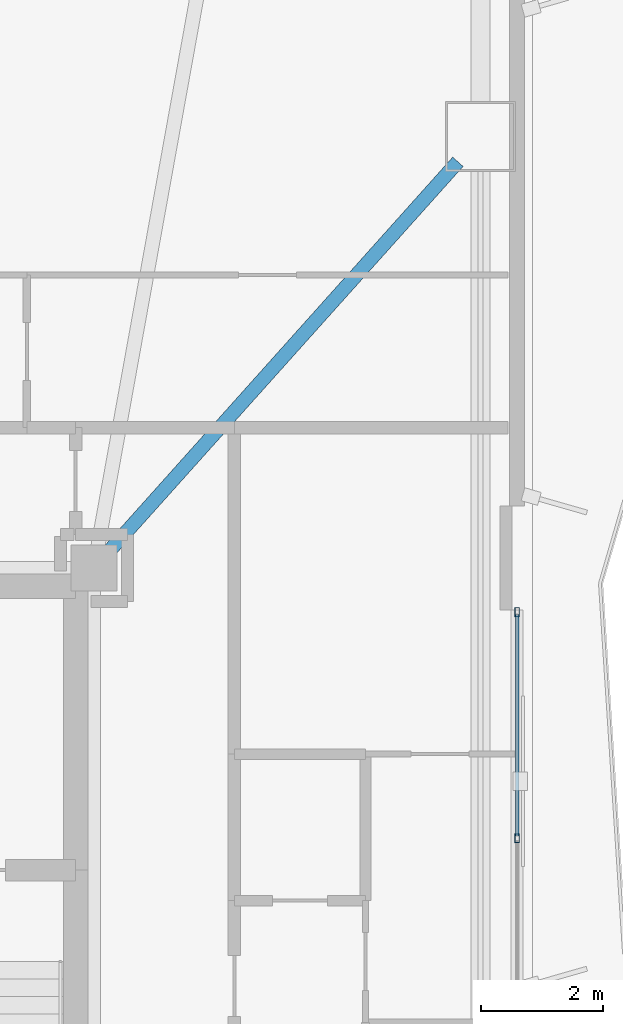
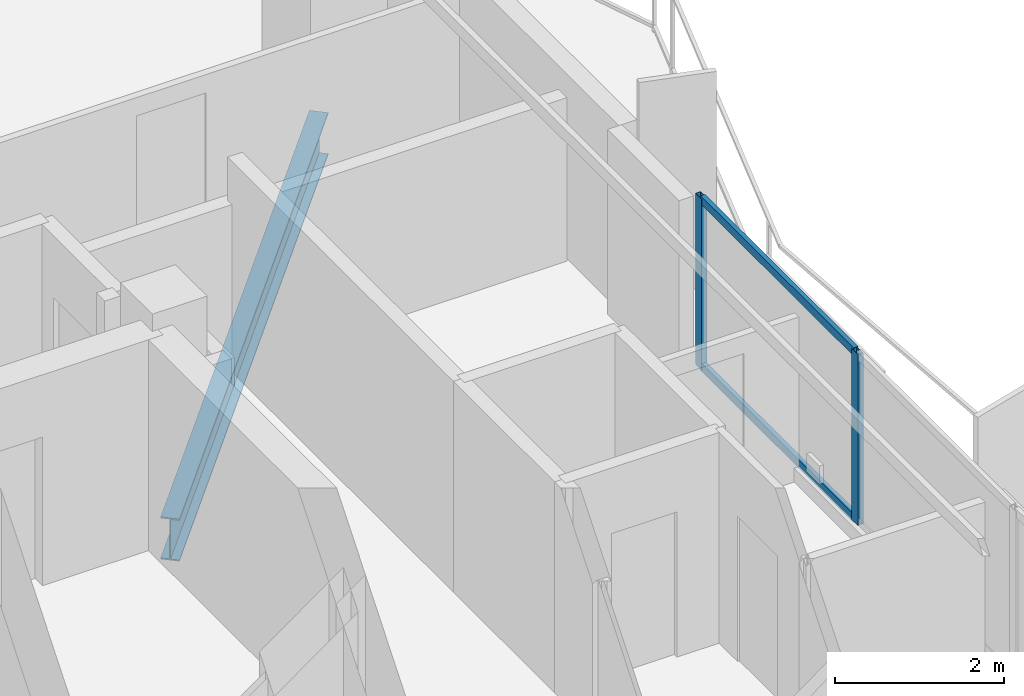
# One storey, part 10 of 22: 4 members, 1 beam, 1 element without a shape of its own.
"""IFC4 building model written with IfcOpenShell, lengths in metres."""

from ifc_helpers import new_model, si_unit, direction, frame, origin, origin_2d, place, context, subcontext, project, spatial, hollow_rectangle, i_section, extrude, material, layer, layer_set, material_profile, profile_set, type_object, element, aggregate, save


model = new_model("IFC4")

# Units and contexts
model_context = context("Model", 3, precision=1e-05, world=origin(), true_north=direction((0.0, 1.0)))
body_context = subcontext(model_context, "Body", "Model", "MODEL_VIEW")
ifc_project = project(units=[si_unit("LENGTHUNIT", "METRE"), si_unit("AREAUNIT", "SQUARE_METRE"), si_unit("VOLUMEUNIT", "CUBIC_METRE"), si_unit("PLANEANGLEUNIT", "RADIAN"), si_unit("MASSUNIT", "GRAM", prefix="KILO")], contexts=[model_context])

# Site, building, storey
site_placement = place(None, origin())
site = spatial("IfcSite", under=ifc_project, at=site_placement, CompositionType="ELEMENT")
building_placement = place(site_placement, origin())
building = spatial("IfcBuilding", under=site, at=building_placement, Name="Mersakhor Tower and Convention Hall", CompositionType="ELEMENT")
storey_placement = place(building_placement, frame((0.0, 0.0, 103.199951171875)))
storey = spatial("IfcBuildingStorey", under=building, at=storey_placement, Name="L28", CompositionType="ELEMENT", Elevation=103.199951171875)

# Beam
ifc_material_1 = material(Name="Steel S355", Category="steel")
ifc_material_profile_1 = material_profile(ifc_material_1, i_section(OverallWidth=0.22900390625, OverallDepth=0.6123046875, WebThickness=0.011962890625, FlangeThickness=0.01953125, at=origin_2d()), Name="UB 610x229x125")
ifc_profile_set_1 = profile_set([ifc_material_profile_1], Name="Steel S355")
beam_type = type_object("IfcBeamType", Name="BM-PR-610", PredefinedType="BEAM", material=ifc_profile_set_1)
beam_placement = place(storey_placement, frame((36.3369140625, 33.314453125, -0.55615234375), z_axis=(0.667217091819, 0.744863311209, 0.0), x_axis=(-0.744863311209, 0.667217091819, 0.0)))
element("IfcBeam", 1, at=beam_placement, inside=storey, type_object=beam_type, Name="L28 Primary Floor Girder FG-3", PredefinedType="BEAM", context=body_context, shape_type="SweptSolid", body=[
    extrude(i_section(OverallWidth=0.22900390625, OverallDepth=0.6123046875, WebThickness=0.011962890625, FlangeThickness=0.01953125, at=origin_2d()), origin(), (0.0, 0.0, 1.0), 8.583740234375),
])

# Curtain wall, members
ifc_material_2 = material(Name="Dark solar low-E aluminium curtain wall", Category="aluminium")
ifc_layer = layer(ifc_material_2, 0.159912109375)
ifc_layer_set = layer_set([ifc_layer], Name="Dark solar low-E aluminium curtain wall")
curtain_wall_type = type_object("IfcCurtainWallType", Name="CW-SYS-01", PredefinedType="USERDEFINED", material=ifc_layer_set)
curtain_wall_placement = place(storey_placement, origin())
curtain_wall = element("IfcCurtainWall", 2, at=curtain_wall_placement, inside=storey, type_object=curtain_wall_type, Name="L28 Dark-Glass Curtain Wall F2-B2", ObjectType="CURTAIN WALL", PredefinedType="USERDEFINED")
ifc_material_3 = material(Name="Anodised aluminium EN AW-6063 T6", Category="aluminium")
ifc_material_profile_2 = material_profile(ifc_material_3, hollow_rectangle(XDim=0.074951171875, YDim=0.14990234375, WallThickness=0.00634765625, at=origin_2d()), Name="RHS 150x75x6.3")
ifc_profile_set_2 = profile_set([ifc_material_profile_2], Name="Anodised aluminium EN AW-6063 T6")
member_type_1 = type_object("IfcMemberType", Name="CWM-150x75", PredefinedType="MULLION", material=ifc_profile_set_2)
member_1_placement = place(storey_placement, frame((43.03466796875, 32.327392578125, 0.199951171875), z_axis=(0.0, 0.0, 1.0), x_axis=(1.0, 0.0, 0.0)))
member_1 = element("IfcMember", 3, at=member_1_placement, type_object=member_type_1, Name="CW-01 mullion 1", PredefinedType="MULLION", context=body_context, shape_type="SweptSolid", body=[
    extrude(hollow_rectangle(XDim=0.074951171875, YDim=0.14990234375, WallThickness=0.00634765625, at=origin_2d()), origin(), (0.0, 0.0, 1.0), 2.47021484375),
])
member_2_placement = place(storey_placement, frame((43.03466796875, 28.62158203125, 0.199951171875), z_axis=(0.0, 0.0, 1.0), x_axis=(1.0, 0.0, 0.0)))
member_2 = element("IfcMember", 4, at=member_2_placement, type_object=member_type_1, Name="CW-01 mullion 2", PredefinedType="MULLION", context=body_context, shape_type="SweptSolid", body=[
    extrude(hollow_rectangle(XDim=0.074951171875, YDim=0.14990234375, WallThickness=0.00634765625, at=origin_2d()), origin(), (0.0, 0.0, 1.0), 2.47021484375),
])
ifc_material_4 = material(Name="Anodised aluminium EN AW-6063 T6", Category="aluminium")
ifc_material_profile_3 = material_profile(ifc_material_4, hollow_rectangle(XDim=0.06005859375, YDim=0.1201171875, WallThickness=0.0048828125, at=origin_2d()), Name="RHS 120x60x5")
ifc_profile_set_3 = profile_set([ifc_material_profile_3], Name="Anodised aluminium EN AW-6063 T6")
member_type_2 = type_object("IfcMemberType", Name="CWT-120x60", PredefinedType="USERDEFINED", material=ifc_profile_set_3)
member_3_placement = place(storey_placement, frame((43.03466796875, 32.289794921875, 0.22998046875), z_axis=(0.0, -1.0, 0.0), x_axis=(1.0, 0.0, 0.0)))
member_3 = element("IfcMember", 5, at=member_3_placement, type_object=member_type_2, Name="CW-01 transom 1.1", ObjectType="TRANSOM", PredefinedType="USERDEFINED", context=body_context, shape_type="SweptSolid", body=[
    extrude(hollow_rectangle(XDim=0.06005859375, YDim=0.1201171875, WallThickness=0.0048828125, at=origin_2d()), origin(), (0.0, 0.0, 1.0), 3.630615234375),
])
member_4_placement = place(storey_placement, frame((43.03466796875, 32.289794921875, 2.64013671875), z_axis=(0.0, -1.0, 0.0), x_axis=(1.0, 0.0, 0.0)))
member_4 = element("IfcMember", 6, at=member_4_placement, type_object=member_type_2, Name="CW-01 transom 1.2", ObjectType="TRANSOM", PredefinedType="USERDEFINED", context=body_context, shape_type="SweptSolid", body=[
    extrude(hollow_rectangle(XDim=0.06005859375, YDim=0.1201171875, WallThickness=0.0048828125, at=origin_2d()), origin(), (0.0, 0.0, 1.0), 3.630615234375),
])
aggregate(curtain_wall, [member_1, member_2, member_3, member_4])

save(model, "model.ifc")
